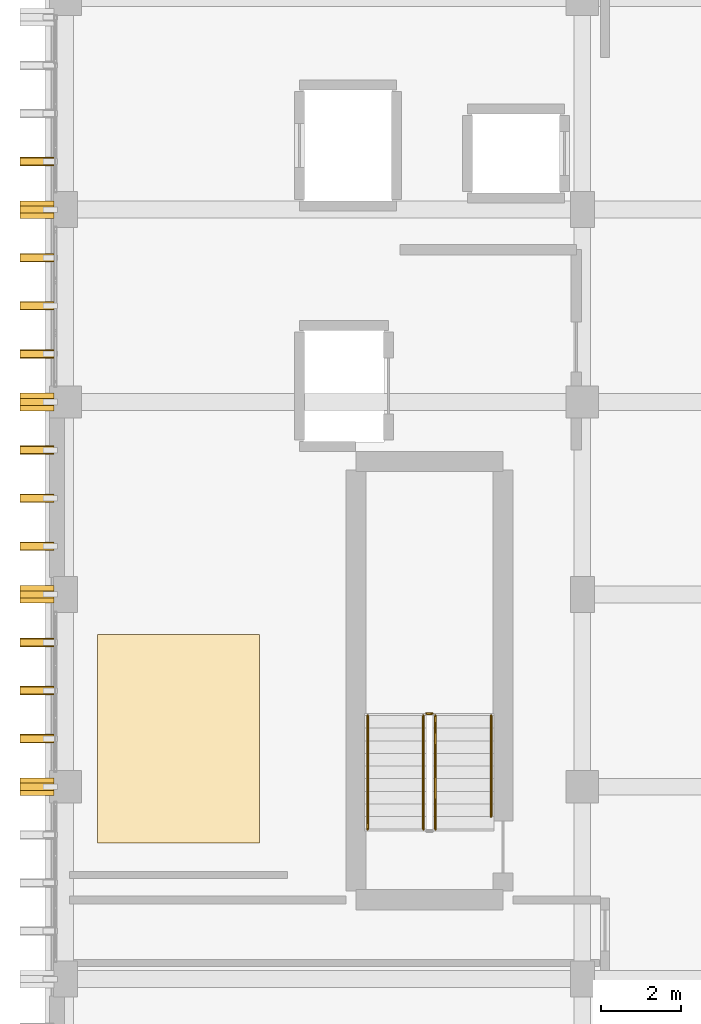
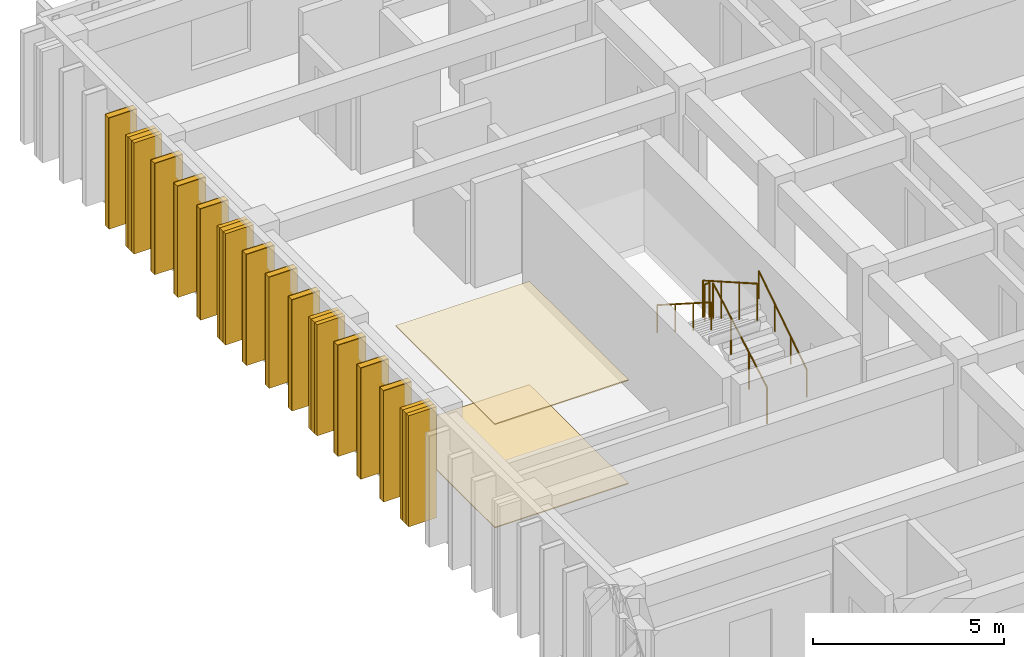
# One storey, part 81 of 82: 16 coverings, 14 shading devices, 5 railings.
"""IFC4 building model written with IfcOpenShell, lengths in metres."""

from ifc_helpers import new_model, si_unit, direction, frame, origin, origin_2d, place, context, subcontext, project, spatial, polyline, rectangle, circle, outline, extrude, material, layer, layer_set, type_object, element, save


model = new_model("IFC4")

# Units and contexts
model_context = context("Model", 3, precision=1e-05, world=origin(), true_north=direction((0.0, 1.0)))
body_context = subcontext(model_context, "Body", "Model", "MODEL_VIEW")
ifc_project = project(units=[si_unit("LENGTHUNIT", "METRE"), si_unit("AREAUNIT", "SQUARE_METRE"), si_unit("VOLUMEUNIT", "CUBIC_METRE"), si_unit("PLANEANGLEUNIT", "RADIAN"), si_unit("MASSUNIT", "GRAM", prefix="KILO")], contexts=[model_context])

# Site, building, storey
site_placement = place(None, origin())
site = spatial("IfcSite", under=ifc_project, at=site_placement, CompositionType="ELEMENT")
building_placement = place(site_placement, origin())
building = spatial("IfcBuilding", under=site, at=building_placement, Name="Nakhvara Creek Congress Hotel", CompositionType="ELEMENT")
storey_placement = place(building_placement, frame((0.0, 0.0, 21.0)))
storey = spatial("IfcBuildingStorey", under=building, at=storey_placement, Name="L04", CompositionType="ELEMENT", Elevation=21.0)

# Coverings
ifc_material_1 = material(Name="Acoustic mineral-fibre and gypsum ceiling board")
ifc_layer_1 = layer(ifc_material_1, 0.0400390625)
ifc_layer_set_1 = layer_set([ifc_layer_1], Name="Acoustic mineral-fibre and gypsum ceiling board")
covering_type_1 = type_object("IfcCoveringType", Name="COV-CEIL-AC", PredefinedType="CEILING", material=ifc_layer_set_1)
covering_1_placement = place(storey_placement, frame((0.0, 0.0, 3.304931640625)))
element("IfcCovering", 1, at=covering_1_placement, inside=storey, type_object=covering_type_1, Name="Acoustic Ceiling L04-WSV-02", PredefinedType="CEILING", context=body_context, shape_type="SweptSolid", body=[
    extrude(outline(polyline([(150.25, 104.199951171875), (154.300048828125, 104.199951171875), (154.300048828125, 109.39990234375), (150.25, 109.39990234375), (150.25, 104.199951171875)])), origin(), (0.0, 0.0, 1.0), 0.03515625),
])
ifc_material_2 = material(Name="Honed pale Omani limestone architectural cladding", Category="masonry")
ifc_layer_2 = layer(ifc_material_2, 0.219970703125)
ifc_layer_set_2 = layer_set([ifc_layer_2], Name="Honed pale Omani limestone architectural cladding")
covering_type_2 = type_object("IfcCoveringType", Name="COV-FIN-850", PredefinedType="CLADDING", material=ifc_layer_set_2)
covering_2_placement = place(storey_placement, frame((148.7451171875, 105.60009765625, 0.0), z_axis=(0.0, 0.0, 1.0), x_axis=(0.0, 1.0, 0.0)))
element("IfcCovering", 2, at=covering_2_placement, inside=storey, type_object=covering_type_2, Name="Pale Limestone Fin Cladding CF01-1339", PredefinedType="CLADDING", context=body_context, shape_type="SweptSolid", body=[
    extrude(rectangle(XDim=0.43994140625, YDim=0.85009765625, at=origin_2d()), origin(), (0.0, 0.0, 1.0), 3.56005859375),
])
for number, where, z_axis, x_axis, name in (
    (3, (148.7451171875, 106.800048828125, 0.0), (0.0, 0.0, 1.0), (0.0, 1.0, 0.0), "Pale Limestone Fin Cladding CF01-1341"),
    (4, (148.7451171875, 108.0, 0.0), (0.0, 0.0, 1.0), (0.0, 1.0, 0.0), "Pale Limestone Fin Cladding CF01-1343"),
    (5, (148.7451171875, 109.199951171875, 0.0), (0.0, 0.0, 1.0), (0.0, 1.0, 0.0), "Pale Limestone Fin Cladding CF01-1345"),
):
    element("IfcCovering", number, at=place(storey_placement, frame(where, z_axis=z_axis, x_axis=x_axis)), inside=storey, type_object=covering_type_2, Name=name, PredefinedType="CLADDING", context=body_context, shape_type="SweptSolid", body=[
        extrude(rectangle(XDim=0.219970703125, YDim=0.85009765625, at=origin_2d()), origin(), (0.0, 0.0, 1.0), 3.56005859375),
    ])
covering_3_placement = place(storey_placement, frame((148.7451171875, 110.39990234375, 0.0), z_axis=(0.0, 0.0, 1.0), x_axis=(0.0, 1.0, 0.0)))
element("IfcCovering", 6, at=covering_3_placement, inside=storey, type_object=covering_type_2, Name="Pale Limestone Fin Cladding CF01-1347", PredefinedType="CLADDING", context=body_context, shape_type="SweptSolid", body=[
    extrude(rectangle(XDim=0.43994140625, YDim=0.85009765625, at=origin_2d()), origin(), (0.0, 0.0, 1.0), 3.56005859375),
])
for number, where, z_axis, x_axis, name in (
    (7, (148.7451171875, 111.60009765625, 0.0), (0.0, 0.0, 1.0), (0.0, 1.0, 0.0), "Pale Limestone Fin Cladding CF01-1349"),
    (8, (148.7451171875, 112.800048828125, 0.0), (0.0, 0.0, 1.0), (0.0, 1.0, 0.0), "Pale Limestone Fin Cladding CF01-1351"),
    (9, (148.7451171875, 114.0, 0.0), (0.0, 0.0, 1.0), (0.0, 1.0, 0.0), "Pale Limestone Fin Cladding CF01-1353"),
):
    element("IfcCovering", number, at=place(storey_placement, frame(where, z_axis=z_axis, x_axis=x_axis)), inside=storey, type_object=covering_type_2, Name=name, PredefinedType="CLADDING", context=body_context, shape_type="SweptSolid", body=[
        extrude(rectangle(XDim=0.219970703125, YDim=0.85009765625, at=origin_2d()), origin(), (0.0, 0.0, 1.0), 3.56005859375),
    ])
covering_4_placement = place(storey_placement, frame((148.7451171875, 115.199951171875, 0.0), z_axis=(0.0, 0.0, 1.0), x_axis=(0.0, 1.0, 0.0)))
element("IfcCovering", 10, at=covering_4_placement, inside=storey, type_object=covering_type_2, Name="Pale Limestone Fin Cladding CF01-1355", PredefinedType="CLADDING", context=body_context, shape_type="SweptSolid", body=[
    extrude(rectangle(XDim=0.43994140625, YDim=0.85009765625, at=origin_2d()), origin(), (0.0, 0.0, 1.0), 3.56005859375),
])
for number, where, z_axis, x_axis, name in (
    (11, (148.7451171875, 116.39990234375, 0.0), (0.0, 0.0, 1.0), (0.0, 1.0, 0.0), "Pale Limestone Fin Cladding CF01-1357"),
    (12, (148.7451171875, 117.60009765625, 0.0), (0.0, 0.0, 1.0), (0.0, 1.0, 0.0), "Pale Limestone Fin Cladding CF01-1358"),
    (13, (148.7451171875, 118.800048828125, 0.0), (0.0, 0.0, 1.0), (0.0, 1.0, 0.0), "Pale Limestone Fin Cladding CF01-1360"),
):
    element("IfcCovering", number, at=place(storey_placement, frame(where, z_axis=z_axis, x_axis=x_axis)), inside=storey, type_object=covering_type_2, Name=name, PredefinedType="CLADDING", context=body_context, shape_type="SweptSolid", body=[
        extrude(rectangle(XDim=0.219970703125, YDim=0.85009765625, at=origin_2d()), origin(), (0.0, 0.0, 1.0), 3.56005859375),
    ])
covering_5_placement = place(storey_placement, frame((148.7451171875, 120.0, 0.0), z_axis=(0.0, 0.0, 1.0), x_axis=(0.0, 1.0, 0.0)))
element("IfcCovering", 14, at=covering_5_placement, inside=storey, type_object=covering_type_2, Name="Pale Limestone Fin Cladding CF01-1362", PredefinedType="CLADDING", context=body_context, shape_type="SweptSolid", body=[
    extrude(rectangle(XDim=0.43994140625, YDim=0.85009765625, at=origin_2d()), origin(), (0.0, 0.0, 1.0), 3.56005859375),
])
covering_6_placement = place(storey_placement, frame((148.7451171875, 121.199951171875, 0.0), z_axis=(0.0, 0.0, 1.0), x_axis=(0.0, 1.0, 0.0)))
element("IfcCovering", 15, at=covering_6_placement, inside=storey, type_object=covering_type_2, Name="Pale Limestone Fin Cladding CF01-1364", PredefinedType="CLADDING", context=body_context, shape_type="SweptSolid", body=[
    extrude(rectangle(XDim=0.219970703125, YDim=0.85009765625, at=origin_2d()), origin(), (0.0, 0.0, 1.0), 3.56005859375),
])
ifc_material_3 = material(Name="Honed limestone and terrazzo acoustic floor finish", Category="masonry")
ifc_layer_3 = layer(ifc_material_3, 0.044921875)
ifc_layer_set_3 = layer_set([ifc_layer_3], Name="Honed limestone and terrazzo acoustic floor finish")
covering_type_3 = type_object("IfcCoveringType", Name="COV-FLR-TER", PredefinedType="FLOORING", material=ifc_layer_set_3)
covering_7_placement = place(storey_placement, origin())
element("IfcCovering", 16, at=covering_7_placement, inside=storey, type_object=covering_type_3, Name="Floor Finish L04-WSV-02", PredefinedType="FLOORING", context=body_context, shape_type="SweptSolid", body=[
    extrude(outline(polyline([(150.25, 104.199951171875), (154.300048828125, 104.199951171875), (154.300048828125, 109.39990234375), (150.25, 109.39990234375), (150.25, 104.199951171875)])), origin(), (0.0, 0.0, 1.0), 0.030029296875),
])

# Railings
ifc_material_4 = material(Name="Brushed stainless steel 316L", Category="steel")
railing_type_1 = type_object("IfcRailingType", Name="RL-GUARD-1200", PredefinedType="GUARDRAIL", material=ifc_material_4)
railing_1_placement = place(storey_placement, frame((158.68505859375, 104.5400390625, 0.179931640625)))
element("IfcRailing", 17, at=railing_1_placement, inside=storey, type_object=railing_type_1, Name="L04 ST02 stair guard 1", PredefinedType="GUARDRAIL", context=body_context, shape_type="SweptSolid", body=[
    extrude(circle(Radius=0.02392578125, at=origin_2d()), frame((0.0, 0.0126953125, 1.18310546875), z_axis=(0.0, 0.868224736699, 0.496171146464), x_axis=(-1.0, 0.0, 0.0)), (0.0, 0.0, 1.0), 3.23583984375),
    extrude(circle(Radius=0.02099609375, at=origin_2d()), origin(), (0.0, 0.0, 1.0), 1.1806640625),
    extrude(circle(Radius=0.02099609375, at=origin_2d()), frame((0.0, 0.945068359375, 0.5400390625)), (0.0, 0.0, 1.0), 1.1806640625),
    extrude(circle(Radius=0.02099609375, at=origin_2d()), frame((0.0, 1.889892578125, 1.080078125)), (0.0, 0.0, 1.0), 1.1806640625),
    extrude(circle(Radius=0.02099609375, at=origin_2d()), frame((0.0, 2.8349609375, 1.6201171875)), (0.0, 0.0, 1.0), 1.1806640625),
])
railing_2_placement = place(storey_placement, frame((158.610107421875, 107.425048828125, 1.800048828125)))
element("IfcRailing", 18, at=railing_2_placement, inside=storey, type_object=railing_type_1, Name="L04 ST02 stair guard 2", PredefinedType="GUARDRAIL", context=body_context, shape_type="SweptSolid", body=[
    extrude(circle(Radius=0.02392578125, at=origin_2d()), frame((-0.0146484375, 0.0, 1.17578125), z_axis=(-1.0, 0.0, 0.0), x_axis=(0.0, -1.0, 0.0)), (0.0, 0.0, 1.0), 0.120849609375),
    extrude(circle(Radius=0.02099609375, at=origin_2d()), origin(), (0.0, 0.0, 1.0), 1.1806640625),
    extrude(circle(Radius=0.02099609375, at=origin_2d()), frame((-0.150146484375, 0.0, 0.0)), (0.0, 0.0, 1.0), 1.1806640625),
])
railing_3_placement = place(storey_placement, frame((158.385009765625, 107.375, 1.97998046875)))
element("IfcRailing", 19, at=railing_3_placement, inside=storey, type_object=railing_type_1, Name="L04 ST02 stair guard 3", PredefinedType="GUARDRAIL", context=body_context, shape_type="SweptSolid", body=[
    extrude(circle(Radius=0.02392578125, at=origin_2d()), frame((0.0, -0.0126953125, 1.18310546875), z_axis=(0.0, -0.868224736699, 0.496171146464), x_axis=(1.0, 0.0, 0.0)), (0.0, 0.0, 1.0), 3.23583984375),
    extrude(circle(Radius=0.02099609375, at=origin_2d()), origin(), (0.0, 0.0, 1.0), 1.1806640625),
    extrude(circle(Radius=0.02099609375, at=origin_2d()), frame((0.0, -0.945068359375, 0.5400390625)), (0.0, 0.0, 1.0), 1.1806640625),
    extrude(circle(Radius=0.02099609375, at=origin_2d()), frame((0.0, -1.889892578125, 1.080078125)), (0.0, 0.0, 1.0), 1.1806640625),
    extrude(circle(Radius=0.02099609375, at=origin_2d()), frame((0.0, -2.8349609375, 1.6201171875)), (0.0, 0.0, 1.0), 1.1806640625),
])
railing_type_2 = type_object("IfcRailingType", Name="RL-HAND-900", PredefinedType="HANDRAIL", material=ifc_material_4)
railing_4_placement = place(storey_placement, frame((160.074951171875, 104.85498046875, 0.360107421875)))
element("IfcRailing", 20, at=railing_4_placement, inside=storey, type_object=railing_type_2, Name="L04 ST02 stair handrail 1", PredefinedType="HANDRAIL", context=body_context, shape_type="SweptSolid", body=[
    extrude(circle(Radius=0.02392578125, at=origin_2d()), frame((0.0, 0.012451171875, 0.8837890625), z_axis=(0.0, 0.839530876525, 0.54331197977), x_axis=(-1.0, 0.0, 0.0)), (0.0, 0.0, 1.0), 2.972412109375),
    extrude(circle(Radius=0.02099609375, at=origin_2d()), origin(), (0.0, 0.0, 1.0), 0.880615234375),
    extrude(circle(Radius=0.02099609375, at=origin_2d()), frame((0.0, 0.840087890625, 0.543701171875)), (0.0, 0.0, 1.0), 0.880615234375),
    extrude(circle(Radius=0.02099609375, at=origin_2d()), frame((0.0, 1.679931640625, 1.087158203125)), (0.0, 0.0, 1.0), 0.880615234375),
    extrude(circle(Radius=0.02099609375, at=origin_2d()), frame((0.0, 2.52001953125, 1.630859375)), (0.0, 0.0, 1.0), 0.880615234375),
])
railing_5_placement = place(storey_placement, frame((156.9951171875, 107.375, 1.97998046875)))
element("IfcRailing", 21, at=railing_5_placement, inside=storey, type_object=railing_type_2, Name="L04 ST02 stair handrail 2", PredefinedType="HANDRAIL", context=body_context, shape_type="SweptSolid", body=[
    extrude(circle(Radius=0.02392578125, at=origin_2d()), frame((0.0, -0.012451171875, 0.8837890625), z_axis=(0.0, -0.842721868308, 0.538349192138), x_axis=(1.0, 0.0, 0.0)), (0.0, 0.0, 1.0), 3.334716796875),
    extrude(circle(Radius=0.02099609375, at=origin_2d()), origin(), (0.0, 0.0, 1.0), 0.880615234375),
    extrude(circle(Radius=0.02099609375, at=origin_2d()), frame((0.0, -0.945068359375, 0.603759765625)), (0.0, 0.0, 1.0), 0.880615234375),
    extrude(circle(Radius=0.02099609375, at=origin_2d()), frame((0.0, -1.889892578125, 1.207275390625)), (0.0, 0.0, 1.0), 0.880615234375),
    extrude(circle(Radius=0.02099609375, at=origin_2d()), frame((0.0, -2.8349609375, 1.81103515625)), (0.0, 0.0, 1.0), 0.880615234375),
])

# Shading devices
ifc_material_5 = material(Name="Honed pale Omani limestone cladding on stainless steel spine", Category="masonry")
shading_device_type = type_object("IfcShadingDeviceType", Name="SHD-FIN-850X3600", PredefinedType="USERDEFINED", material=ifc_material_5)
for number, where, z_axis, x_axis, name in (
    (22, (148.7451171875, 105.60009765625, 0.0), (0.0, 0.0, 1.0), (0.0, 1.0, 0.0), "Limestone Solar Fin FN01-1204"),
    (23, (148.7451171875, 106.800048828125, 0.0), (0.0, 0.0, 1.0), (0.0, 1.0, 0.0), "Limestone Solar Fin FN01-1206"),
    (24, (148.7451171875, 108.0, 0.0), (0.0, 0.0, 1.0), (0.0, 1.0, 0.0), "Limestone Solar Fin FN01-1208"),
    (25, (148.7451171875, 109.199951171875, 0.0), (0.0, 0.0, 1.0), (0.0, 1.0, 0.0), "Limestone Solar Fin FN01-1210"),
    (26, (148.7451171875, 110.39990234375, 0.0), (0.0, 0.0, 1.0), (0.0, 1.0, 0.0), "Limestone Solar Fin FN01-1212"),
    (27, (148.7451171875, 111.60009765625, 0.0), (0.0, 0.0, 1.0), (0.0, 1.0, 0.0), "Limestone Solar Fin FN01-1214"),
    (28, (148.7451171875, 112.800048828125, 0.0), (0.0, 0.0, 1.0), (0.0, 1.0, 0.0), "Limestone Solar Fin FN01-1216"),
    (29, (148.7451171875, 114.0, 0.0), (0.0, 0.0, 1.0), (0.0, 1.0, 0.0), "Limestone Solar Fin FN01-1218"),
    (30, (148.7451171875, 115.199951171875, 0.0), (0.0, 0.0, 1.0), (0.0, 1.0, 0.0), "Limestone Solar Fin FN01-1220"),
    (31, (148.7451171875, 116.39990234375, 0.0), (0.0, 0.0, 1.0), (0.0, 1.0, 0.0), "Limestone Solar Fin FN01-1222"),
    (32, (148.7451171875, 117.60009765625, 0.0), (0.0, 0.0, 1.0), (0.0, 1.0, 0.0), "Limestone Solar Fin FN01-1223"),
    (33, (148.7451171875, 118.800048828125, 0.0), (0.0, 0.0, 1.0), (0.0, 1.0, 0.0), "Limestone Solar Fin FN01-1225"),
    (34, (148.7451171875, 120.0, 0.0), (0.0, 0.0, 1.0), (0.0, 1.0, 0.0), "Limestone Solar Fin FN01-1227"),
    (35, (148.7451171875, 121.199951171875, 0.0), (0.0, 0.0, 1.0), (0.0, 1.0, 0.0), "Limestone Solar Fin FN01-1229"),
):
    element("IfcShadingDevice", number, at=place(storey_placement, frame(where, z_axis=z_axis, x_axis=x_axis)), inside=storey, type_object=shading_device_type, Name=name, ObjectType="FIN", PredefinedType="USERDEFINED", context=body_context, shape_type="SweptSolid", body=[
        extrude(rectangle(XDim=0.179931640625, YDim=0.85009765625, at=origin_2d()), origin(), (0.0, 0.0, 1.0), 3.56005859375),
    ])

save(model, "model.ifc")
